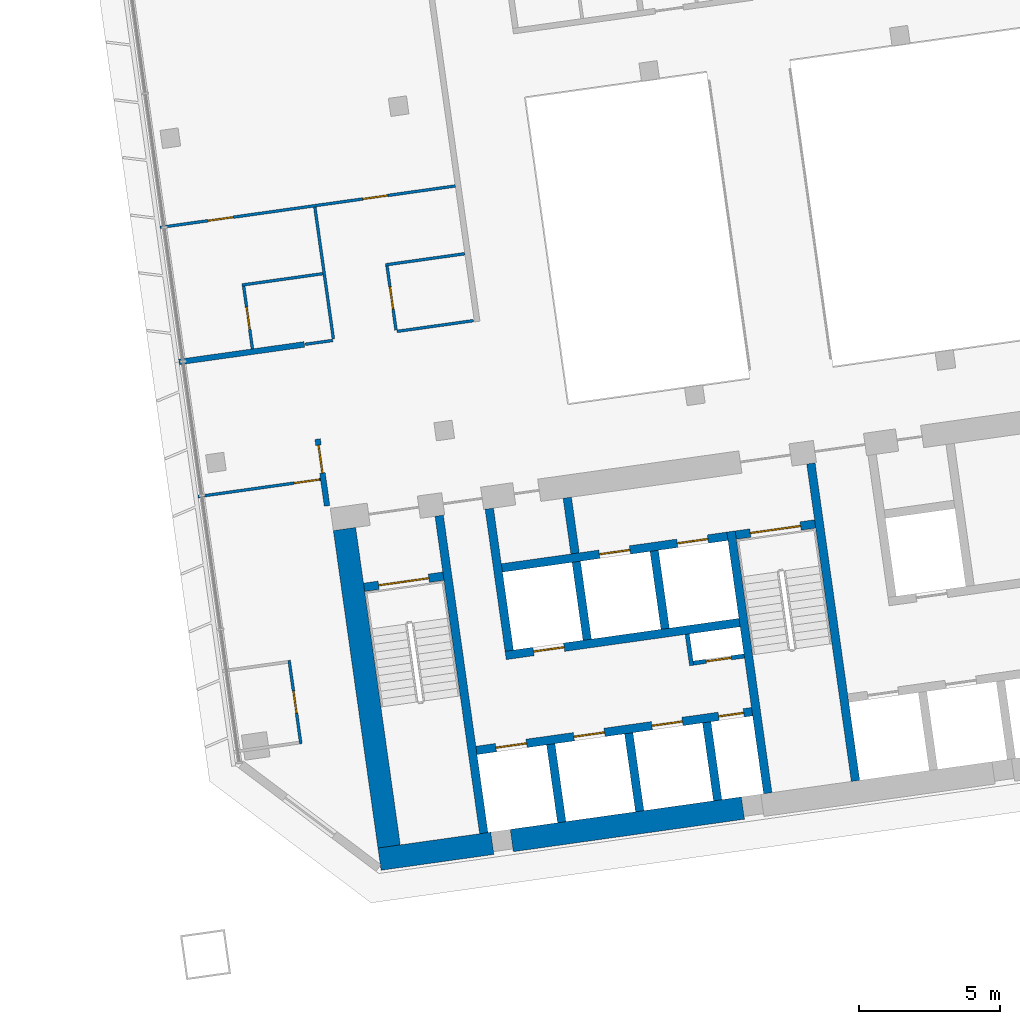
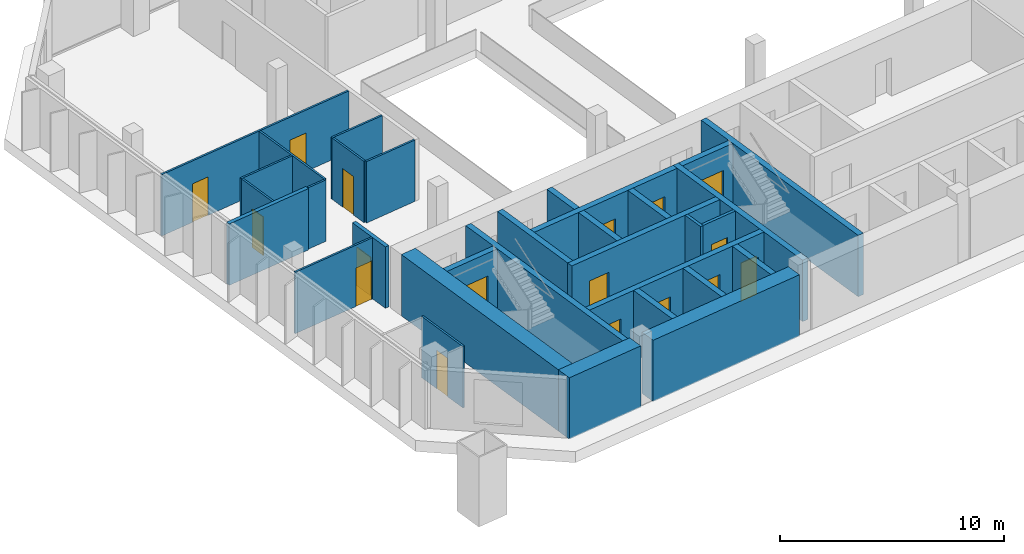
# One storey, part 20 of 26: 32 walls, 17 doors, 17 openings.
"""IFC4 building model written with IfcOpenShell, lengths in metres."""

from ifc_helpers import new_model, si_unit, direction, frame, frame_2d, origin, place, context, subcontext, project, spatial, rectangle, extrude, material, layer, layer_set, type_object, element, fill, save


model = new_model("IFC4")

# Units and contexts
model_context = context("Model", 3, precision=1e-05, world=origin(), true_north=direction((0.0, 1.0)))
body_context = subcontext(model_context, "Body", "Model", "MODEL_VIEW")
ifc_project = project(units=[si_unit("LENGTHUNIT", "METRE"), si_unit("AREAUNIT", "SQUARE_METRE"), si_unit("VOLUMEUNIT", "CUBIC_METRE"), si_unit("PLANEANGLEUNIT", "RADIAN"), si_unit("MASSUNIT", "GRAM", prefix="KILO")], contexts=[model_context])

# Site, building, storey
site_placement = place(None, origin())
site = spatial("IfcSite", under=ifc_project, at=site_placement, CompositionType="ELEMENT")
building_placement = place(site_placement, origin())
building = spatial("IfcBuilding", under=site, at=building_placement, Name="Mirante Cascada Hotel Towers", CompositionType="ELEMENT")
storey_placement = place(building_placement, frame((0.0, 0.0, 144.3)))
storey = spatial("IfcBuildingStorey", under=building, at=storey_placement, Name="L33", CompositionType="ELEMENT", Elevation=144.3)

# Wall
ifc_material_1 = material(Name="Fire-rated plasterboard on metal studs")
ifc_layer_1 = layer(ifc_material_1, 0.2)
ifc_layer_set_1 = layer_set([ifc_layer_1], Name="Compartment wall 200 EI 120")
wall_type_1 = type_object("IfcWallType", Name="Compartment wall 200 EI 120", PredefinedType="PARTITIONING", material=ifc_layer_set_1)
wall_1_placement = place(storey_placement, frame((30.0, -2.0, 0.0), z_axis=(0.0, 0.0, 1.0), x_axis=(0.9902674, 0.1391779, 0.0)))
element("IfcWall", 1, at=wall_1_placement, inside=storey, type_object=wall_type_1, Name="Wall 2-L33-04", PredefinedType="PARTITIONING", context=body_context, shape_type="SweptSolid", body=[
    extrude(rectangle(XDim=4.5, YDim=0.2, at=frame_2d((2.25, 0.0))), origin(), (0.0, 0.0, 1.0), 3.35),
])

# Wall, opening, door
wall_2_placement = place(storey_placement, frame((35.2634, -7.1173, 0.0), z_axis=(0.0, 0.0, 1.0), x_axis=(-0.1391635, 0.9902694, 0.0)))
wall_2 = element("IfcWall", 2, at=wall_2_placement, inside=storey, type_object=wall_type_1, Name="Wall 2-L33-32", PredefinedType="PARTITIONING", context=body_context, shape_type="SweptSolid", body=[
    extrude(rectangle(XDim=2.4001, YDim=0.2, at=frame_2d((1.2, 0.0))), origin(), (0.0, 0.0, 1.0), 3.35),
])
opening_1_placement = place(wall_2_placement, frame((1.1833, 0.0, 0.0)))
opening_1 = element("IfcOpeningElement", 3, at=opening_1_placement, cuts=wall_2, Name="Opening D2-L33-24", PredefinedType="OPENING", context=body_context, shape_type="SweptSolid", body=[
    extrude(rectangle(XDim=1.0, YDim=2.1, at=frame_2d((0.5, 1.05))), frame((0.0, 0.1, 0.0), z_axis=(0.0, -1.0, 0.0), x_axis=(1.0, 0.0, 0.0)), (0.0, 0.0, 1.0), 0.2),
])
ifc_material_2 = material(Name="Fire-rated timber door leaf", Category="wood")
door_type_1 = type_object("IfcDoorType", Name="Entrance door DG1 1000x2100 EI 60", OperationType="SINGLE_SWING_LEFT", PredefinedType="DOOR", material=ifc_material_2)
door_1_placement = place(opening_1_placement, origin())
door_1 = element("IfcDoor", 4, at=door_1_placement, inside=storey, type_object=door_type_1, Name="Door D2-L33-24", OperationType="SINGLE_SWING_LEFT", OverallHeight=2.1, OverallWidth=1.0, PredefinedType="DOOR", context=body_context, shape_type="SweptSolid", body=[
    extrude(rectangle(XDim=1.0, YDim=2.1, at=frame_2d((0.5, 1.05))), frame((0.0, 0.025, 0.0), z_axis=(0.0, -1.0, 0.0), x_axis=(1.0, 0.0, 0.0)), (0.0, 0.0, 1.0), 0.05),
])
fill(opening_1, door_1)

# Wall
ifc_material_3 = material(Name="Masonry block", Category="masonry")
ifc_layer_2 = layer(ifc_material_3, 0.15)
ifc_layer_set_2 = layer_set([ifc_layer_2], Name="Core room partition 150 block EI 30")
wall_type_2 = type_object("IfcWallType", Name="Core room partition 150 block EI 30", PredefinedType="PARTITIONING", material=ifc_layer_set_2)
wall_3_placement = place(storey_placement, frame((48.2295, -12.793, 0.0), z_axis=(0.0, 0.0, 1.0), x_axis=(-0.1391935, 0.9902652, 0.0)))
element("IfcWall", 5, at=wall_3_placement, inside=storey, type_object=wall_type_2, Name="Core wall partition T2 L33 2", PredefinedType="PARTITIONING", context=body_context, shape_type="SweptSolid", body=[
    extrude(rectangle(XDim=1.1251, YDim=0.15, at=frame_2d((0.5626, 0.0))), origin(), (0.0, 0.0, 1.0), 3.35),
])

# Wall, opening, door
wall_4_placement = place(storey_placement, frame((48.2933, -12.7083, 0.0), z_axis=(0.0, 0.0, 1.0), x_axis=(0.990268, 0.1391734, 0.0)))
wall_4 = element("IfcWall", 6, at=wall_4_placement, inside=storey, type_object=wall_type_2, Name="Core wall partition T2 L33 3", PredefinedType="PARTITIONING", context=body_context, shape_type="SweptSolid", body=[
    extrude(rectangle(XDim=1.8251, YDim=0.15, at=frame_2d((0.9126, 0.0))), origin(), (0.0, 0.0, 1.0), 3.35),
])
opening_2_placement = place(wall_4_placement, frame((0.4625, 0.0, 0.0)))
opening_2 = element("IfcOpeningElement", 7, at=opening_2_placement, cuts=wall_4, Name="Opening D2-33-C23", PredefinedType="OPENING", context=body_context, shape_type="SweptSolid", body=[
    extrude(rectangle(XDim=0.9, YDim=2.1, at=frame_2d((0.45, 1.05))), frame((0.0, 0.075, 0.0), z_axis=(0.0, -1.0, 0.0), x_axis=(1.0, 0.0, 0.0)), (0.0, 0.0, 1.0), 0.15),
])
ifc_material_4 = material(Name="Hollow metal fire door leaf")
door_type_2 = type_object("IfcDoorType", Name="Fire door 900x2100 FD60", OperationType="NOTDEFINED", PredefinedType="DOOR", material=ifc_material_4)
door_2_placement = place(opening_2_placement, frame((0.9, 0.0, 0.0), z_axis=(0.0, 0.0, 1.0), x_axis=(-1.0, 0.0, 0.0)))
door_2 = element("IfcDoor", 8, at=door_2_placement, inside=storey, type_object=door_type_2, Name="Riser door T2 L33 23", OperationType="SINGLE_SWING_RIGHT", OverallHeight=2.1, OverallWidth=0.9, PredefinedType="DOOR", context=body_context, shape_type="SweptSolid", body=[
    extrude(rectangle(XDim=0.9, YDim=2.1, at=frame_2d((0.45, 1.05))), frame((0.0, 0.025, 0.0), z_axis=(0.0, -1.0, 0.0), x_axis=(1.0, 0.0, 0.0)), (0.0, 0.0, 1.0), 0.05),
])
fill(opening_2, door_2)

# Wall
ifc_material_5 = material(Name="Masonry block", Category="masonry")
ifc_layer_3 = layer(ifc_material_5, 0.3)
ifc_layer_set_3 = layer_set([ifc_layer_3], Name="Core wall 300 block EI 120")
wall_type_3 = type_object("IfcWallType", Name="Core wall 300 block EI 120", PredefinedType="PARTITIONING", material=ifc_layer_set_3)
wall_5_placement = place(storey_placement, frame((44.0843, -8.8061, 0.0), z_axis=(0.0, 0.0, 1.0), x_axis=(-0.1391951, 0.990265, 0.0)))
element("IfcWall", 9, at=wall_5_placement, inside=storey, type_object=wall_type_3, Name="Core wall partition T2 L33 1", PredefinedType="PARTITIONING", context=body_context, shape_type="SweptSolid", body=[
    extrude(rectangle(XDim=2.0001, YDim=0.3, at=frame_2d((1.0001, 0.0))), origin(), (0.0, 0.0, 1.0), 3.35),
])

# Wall, opening, door
ifc_material_6 = material(Name="Plasterboard on metal studs")
ifc_layer_4 = layer(ifc_material_6, 0.1)
ifc_layer_set_4 = layer_set([ifc_layer_4], Name="Partition 100")
wall_type_4 = type_object("IfcWallType", Name="Partition 100", PredefinedType="PARTITIONING", material=ifc_layer_set_4)
wall_6_placement = place(storey_placement, frame((35.0298, -6.1739, 0.0), z_axis=(0.0, 0.0, 1.0), x_axis=(-0.9902665, -0.1391841, 0.0)))
wall_6 = element("IfcWall", 10, at=wall_6_placement, inside=storey, type_object=wall_type_4, Name="Wall 2-L33-03", PredefinedType="PARTITIONING", context=body_context, shape_type="SweptSolid", body=[
    extrude(rectangle(XDim=4.3999, YDim=0.1, at=frame_2d((2.2, 0.0))), origin(), (0.0, 0.0, 1.0), 3.35),
])
opening_3_placement = place(wall_6_placement, frame((0.05, 0.0, 0.0)))
opening_3 = element("IfcOpeningElement", 11, at=opening_3_placement, cuts=wall_6, Name="Opening D2-L33-01", PredefinedType="OPENING", context=body_context, shape_type="SweptSolid", body=[
    extrude(rectangle(XDim=0.9, YDim=2.1, at=frame_2d((0.45, 1.05))), frame((0.0, 0.05, 0.0), z_axis=(0.0, -1.0, 0.0), x_axis=(1.0, 0.0, 0.0)), (0.0, 0.0, 1.0), 0.1),
])
ifc_material_7 = material(Name="Timber door leaf", Category="wood")
door_type_3 = type_object("IfcDoorType", Name="Room door DG3 900x2100", OperationType="SINGLE_SWING_LEFT", PredefinedType="DOOR", material=ifc_material_7)
door_3_placement = place(opening_3_placement, origin())
door_3 = element("IfcDoor", 12, at=door_3_placement, inside=storey, type_object=door_type_3, Name="Door D2-L33-01", OperationType="SINGLE_SWING_LEFT", OverallHeight=2.1, OverallWidth=0.9, PredefinedType="DOOR", context=body_context, shape_type="SweptSolid", body=[
    extrude(rectangle(XDim=0.9, YDim=2.1, at=frame_2d((0.45, 1.05))), frame((0.0, 0.025, 0.0), z_axis=(0.0, -1.0, 0.0), x_axis=(1.0, 0.0, 0.0)), (0.0, 0.0, 1.0), 0.05),
])
fill(opening_3, door_3)

# Walls
wall_7_placement = place(storey_placement, frame((35.4663, -1.2318, 0.0), z_axis=(0.0, 0.0, 1.0), x_axis=(-0.9902801, -0.1390877, 0.0)))
element("IfcWall", 13, at=wall_7_placement, inside=storey, type_object=wall_type_4, Name="Wall 2-L33-05", PredefinedType="PARTITIONING", context=body_context, shape_type="SweptSolid", body=[
    extrude(rectangle(XDim=0.99, YDim=0.1, at=frame_2d((0.495, 0.0))), origin(), (0.0, 0.0, 1.0), 3.35),
])
wall_8_placement = place(storey_placement, frame((37.7538, -0.9103, 0.0), z_axis=(0.0, 0.0, 1.0), x_axis=(0.9902645, 0.1391984, 0.0)))
element("IfcWall", 14, at=wall_8_placement, inside=storey, type_object=wall_type_4, Name="Wall 2-L33-06", PredefinedType="PARTITIONING", context=body_context, shape_type="SweptSolid", body=[
    extrude(rectangle(XDim=2.74, YDim=0.1, at=frame_2d((1.37, 0.0))), origin(), (0.0, 0.0, 1.0), 3.35),
])
wall_9_placement = place(storey_placement, frame((35.1125, 1.1421, 0.0), z_axis=(0.0, 0.0, 1.0), x_axis=(-0.9902683, -0.1391714, 0.0)))
element("IfcWall", 15, at=wall_9_placement, inside=storey, type_object=wall_type_4, Name="Wall 2-L33-09", PredefinedType="PARTITIONING", context=body_context, shape_type="SweptSolid", body=[
    extrude(rectangle(XDim=2.9, YDim=0.1, at=frame_2d((1.45, 0.0))), origin(), (0.0, 0.0, 1.0), 3.35),
])
wall_10_placement = place(storey_placement, frame((37.3406, 1.4552, 0.0), z_axis=(0.0, 0.0, 1.0), x_axis=(0.9902649, 0.1391957, 0.0)))
element("IfcWall", 16, at=wall_10_placement, inside=storey, type_object=wall_type_4, Name="Wall 2-L33-10", PredefinedType="PARTITIONING", context=body_context, shape_type="SweptSolid", body=[
    extrude(rectangle(XDim=2.8499, YDim=0.1, at=frame_2d((1.425, 0.0))), origin(), (0.0, 0.0, 1.0), 3.35),
])

# Wall, openings, doors
wall_11_placement = place(storey_placement, frame((39.8242, 4.2615, 0.0), z_axis=(0.0, 0.0, 1.0), x_axis=(-0.9902686, -0.1391691, 0.0)))
wall_11 = element("IfcWall", 17, at=wall_11_placement, inside=storey, type_object=wall_type_4, Name="Wall 2-L33-11", PredefinedType="PARTITIONING", context=body_context, shape_type="SweptSolid", body=[
    extrude(rectangle(XDim=10.6001, YDim=0.1, at=frame_2d((5.3, 0.0))), origin(), (0.0, 0.0, 1.0), 3.35),
])
opening_4_placement = place(wall_11_placement, frame((7.975, 0.0, 0.0)))
opening_4 = element("IfcOpeningElement", 18, at=opening_4_placement, cuts=wall_11, Name="Opening D2-L33-02", PredefinedType="OPENING", context=body_context, shape_type="SweptSolid", body=[
    extrude(rectangle(XDim=0.9, YDim=2.1, at=frame_2d((0.45, 1.05))), frame((0.0, 0.05, 0.0), z_axis=(0.0, -1.0, 0.0), x_axis=(1.0, 0.0, 0.0)), (0.0, 0.0, 1.0), 0.1),
])
opening_5_placement = place(wall_11_placement, frame((2.425, 0.0, 0.0)))
opening_5 = element("IfcOpeningElement", 19, at=opening_5_placement, cuts=wall_11, Name="Opening D2-L33-03", PredefinedType="OPENING", context=body_context, shape_type="SweptSolid", body=[
    extrude(rectangle(XDim=0.9, YDim=2.1, at=frame_2d((0.45, 1.05))), frame((0.0, 0.05, 0.0), z_axis=(0.0, -1.0, 0.0), x_axis=(1.0, 0.0, 0.0)), (0.0, 0.0, 1.0), 0.1),
])
door_4_placement = place(opening_4_placement, frame((0.9, 0.0, 0.0), z_axis=(0.0, 0.0, 1.0), x_axis=(-1.0, 0.0, 0.0)))
door_4 = element("IfcDoor", 20, at=door_4_placement, inside=storey, type_object=door_type_3, Name="Door D2-L33-02", OperationType="SINGLE_SWING_RIGHT", OverallHeight=2.1, OverallWidth=0.9, PredefinedType="DOOR", context=body_context, shape_type="SweptSolid", body=[
    extrude(rectangle(XDim=0.9, YDim=2.1, at=frame_2d((0.45, 1.05))), frame((0.0, 0.025, 0.0), z_axis=(0.0, -1.0, 0.0), x_axis=(1.0, 0.0, 0.0)), (0.0, 0.0, 1.0), 0.05),
])
fill(opening_4, door_4)
door_5_placement = place(opening_5_placement, frame((0.9, 0.0, 0.0), z_axis=(0.0, 0.0, 1.0), x_axis=(-1.0, 0.0, 0.0)))
door_5 = element("IfcDoor", 21, at=door_5_placement, inside=storey, type_object=door_type_3, Name="Door D2-L33-03", OperationType="SINGLE_SWING_RIGHT", OverallHeight=2.1, OverallWidth=0.9, PredefinedType="DOOR", context=body_context, shape_type="SweptSolid", body=[
    extrude(rectangle(XDim=0.9, YDim=2.1, at=frame_2d((0.45, 1.05))), frame((0.0, 0.025, 0.0), z_axis=(0.0, -1.0, 0.0), x_axis=(1.0, 0.0, 0.0)), (0.0, 0.0, 1.0), 0.05),
])
fill(opening_5, door_5)

# Wall, opening, door
wall_12_placement = place(storey_placement, frame((34.332, -15.5793, 0.0), z_axis=(0.0, 0.0, 1.0), x_axis=(-0.1391624, 0.9902696, 0.0)))
wall_12 = element("IfcWall", 22, at=wall_12_placement, inside=storey, type_object=wall_type_4, Name="Wall 2-L33-30", PredefinedType="PARTITIONING", context=body_context, shape_type="SweptSolid", body=[
    extrude(rectangle(XDim=3.0001, YDim=0.1, at=frame_2d((1.5001, 0.0))), origin(), (0.0, 0.0, 1.0), 3.35),
])
opening_6_placement = place(wall_12_placement, frame((1.1, 0.0, 0.0)))
opening_6 = element("IfcOpeningElement", 23, at=opening_6_placement, cuts=wall_12, Name="Opening D2-L33-22", PredefinedType="OPENING", context=body_context, shape_type="SweptSolid", body=[
    extrude(rectangle(XDim=0.8, YDim=2.1, at=frame_2d((0.4, 1.05))), frame((0.0, 0.05, 0.0), z_axis=(0.0, -1.0, 0.0), x_axis=(1.0, 0.0, 0.0)), (0.0, 0.0, 1.0), 0.1),
])
ifc_material_8 = material(Name="Timber door leaf", Category="wood")
door_type_4 = type_object("IfcDoorType", Name="Bathroom door DG4 800x2100", OperationType="SINGLE_SWING_LEFT", PredefinedType="DOOR", material=ifc_material_8)
door_6_placement = place(opening_6_placement, frame((0.8, 0.0, 0.0), z_axis=(0.0, 0.0, 1.0), x_axis=(-1.0, 0.0, 0.0)))
door_6 = element("IfcDoor", 24, at=door_6_placement, inside=storey, type_object=door_type_4, Name="Door D2-L33-22", OperationType="SINGLE_SWING_RIGHT", OverallHeight=2.1, OverallWidth=0.8, PredefinedType="DOOR", context=body_context, shape_type="SweptSolid", body=[
    extrude(rectangle(XDim=0.8, YDim=2.1, at=frame_2d((0.4, 1.05))), frame((0.0, 0.025, 0.0), z_axis=(0.0, -1.0, 0.0), x_axis=(1.0, 0.0, 0.0)), (0.0, 0.0, 1.0), 0.05),
])
fill(opening_6, door_6)

wall_13_placement = place(storey_placement, frame((32.2972, 0.6959, 0.0), z_axis=(0.0, 0.0, 1.0), x_axis=(0.1391561, -0.9902705, 0.0)))
wall_13 = element("IfcWall", 25, at=wall_13_placement, inside=storey, type_object=wall_type_4, Name="Wall 2-L33-31", PredefinedType="PARTITIONING", context=body_context, shape_type="SweptSolid", body=[
    extrude(rectangle(XDim=2.25, YDim=0.1, at=frame_2d((1.125, 0.0))), origin(), (0.0, 0.0, 1.0), 3.35),
])
opening_7_placement = place(wall_13_placement, frame((0.75, 0.0, 0.0)))
opening_7 = element("IfcOpeningElement", 26, at=opening_7_placement, cuts=wall_13, Name="Opening D2-L33-23", PredefinedType="OPENING", context=body_context, shape_type="SweptSolid", body=[
    extrude(rectangle(XDim=0.8, YDim=2.1, at=frame_2d((0.4, 1.05))), frame((0.0, 0.05, 0.0), z_axis=(0.0, -1.0, 0.0), x_axis=(1.0, 0.0, 0.0)), (0.0, 0.0, 1.0), 0.1),
])
door_7_placement = place(opening_7_placement, origin())
door_7 = element("IfcDoor", 27, at=door_7_placement, inside=storey, type_object=door_type_4, Name="Door D2-L33-23", OperationType="SINGLE_SWING_LEFT", OverallHeight=2.1, OverallWidth=0.8, PredefinedType="DOOR", context=body_context, shape_type="SweptSolid", body=[
    extrude(rectangle(XDim=0.8, YDim=2.1, at=frame_2d((0.4, 1.05))), frame((0.0, 0.025, 0.0), z_axis=(0.0, -1.0, 0.0), x_axis=(1.0, 0.0, 0.0)), (0.0, 0.0, 1.0), 0.05),
])
fill(opening_7, door_7)

# Wall
wall_14_placement = place(storey_placement, frame((34.8303, 3.5092, 0.0), z_axis=(0.0, 0.0, 1.0), x_axis=(0.1391613, -0.9902697, 0.0)))
element("IfcWall", 28, at=wall_14_placement, inside=storey, type_object=wall_type_4, Name="Wall 2-L33-33", PredefinedType="PARTITIONING", context=body_context, shape_type="SweptSolid", body=[
    extrude(rectangle(XDim=4.7334, YDim=0.1, at=frame_2d((2.3667, 0.0))), origin(), (0.0, 0.0, 1.0), 3.35),
])

# Wall, opening, door
wall_15_placement = place(storey_placement, frame((37.7171, -0.8649, 0.0), z_axis=(0.0, 0.0, 1.0), x_axis=(-0.1391749, 0.9902678, 0.0)))
wall_15 = element("IfcWall", 29, at=wall_15_placement, inside=storey, type_object=wall_type_4, Name="Wall 2-L33-34", PredefinedType="PARTITIONING", context=body_context, shape_type="SweptSolid", body=[
    extrude(rectangle(XDim=2.3, YDim=0.1, at=frame_2d((1.15, 0.0))), origin(), (0.0, 0.0, 1.0), 3.35),
])
opening_8_placement = place(wall_15_placement, frame((0.75, 0.0, 0.0)))
opening_8 = element("IfcOpeningElement", 30, at=opening_8_placement, cuts=wall_15, Name="Opening D2-L33-25", PredefinedType="OPENING", context=body_context, shape_type="SweptSolid", body=[
    extrude(rectangle(XDim=0.8, YDim=2.1, at=frame_2d((0.4, 1.05))), frame((0.0, 0.05, 0.0), z_axis=(0.0, -1.0, 0.0), x_axis=(1.0, 0.0, 0.0)), (0.0, 0.0, 1.0), 0.1),
])
door_8_placement = place(opening_8_placement, frame((0.8, 0.0, 0.0), z_axis=(0.0, 0.0, 1.0), x_axis=(-1.0, 0.0, 0.0)))
door_8 = element("IfcDoor", 31, at=door_8_placement, inside=storey, type_object=door_type_4, Name="Door D2-L33-25", OperationType="SINGLE_SWING_RIGHT", OverallHeight=2.1, OverallWidth=0.8, PredefinedType="DOOR", context=body_context, shape_type="SweptSolid", body=[
    extrude(rectangle(XDim=0.8, YDim=2.1, at=frame_2d((0.4, 1.05))), frame((0.0, 0.025, 0.0), z_axis=(0.0, -1.0, 0.0), x_axis=(1.0, 0.0, 0.0)), (0.0, 0.0, 1.0), 0.05),
])
fill(opening_8, door_8)

# Walls
ifc_material_9 = material(Name="Concrete C50/60", Category="concrete")
ifc_layer_5 = layer(ifc_material_9, 0.3)
ifc_layer_set_5 = layer_set([ifc_layer_5], Name="RC core wall 300 C50/60")
wall_type_5 = type_object("IfcWallType", Name="RC core wall 300 C50/60", PredefinedType="SHEAR", material=ifc_layer_set_5)
wall_16_placement = place(storey_placement, frame((40.8373, -18.7548, 0.0), z_axis=(0.0, 0.0, 1.0), x_axis=(-0.1391749, 0.9902678, 0.0)))
element("IfcWall", 32, at=wall_16_placement, inside=storey, type_object=wall_type_5, Name="Core wall T2:L33:5", PredefinedType="SHEAR", context=body_context, shape_type="SweptSolid", body=[
    extrude(rectangle(XDim=11.4, YDim=0.3, at=frame_2d((5.7, 0.0))), origin(), (0.0, 0.0, 1.0), 3.35),
])
wall_17_placement = place(storey_placement, frame((50.938, -17.3352, 0.0), z_axis=(0.0, 0.0, 1.0), x_axis=(-0.1391706, 0.9902684, 0.0)))
element("IfcWall", 33, at=wall_17_placement, inside=storey, type_object=wall_type_5, Name="Core wall T2:L33:6", PredefinedType="SHEAR", context=body_context, shape_type="SweptSolid", body=[
    extrude(rectangle(XDim=9.4, YDim=0.3, at=frame_2d((4.7, 0.0))), origin(), (0.0, 0.0, 1.0), 3.35),
])
wall_18_placement = place(storey_placement, frame((54.0574, -16.8968, 0.0), z_axis=(0.0, 0.0, 1.0), x_axis=(-0.1391761, 0.9902677, 0.0)))
element("IfcWall", 34, at=wall_18_placement, inside=storey, type_object=wall_type_5, Name="Core wall T2:L33:7", PredefinedType="SHEAR", context=body_context, shape_type="SweptSolid", body=[
    extrude(rectangle(XDim=11.3999, YDim=0.3, at=frame_2d((5.7, 0.0))), origin(), (0.0, 0.0, 1.0), 3.35),
])

# Wall, opening, door
wall_19_placement = place(storey_placement, frame((36.5791, -10.0123, 0.0), z_axis=(0.0, 0.0, 1.0), x_axis=(0.9902704, 0.1391564, 0.0)))
wall_19 = element("IfcWall", 35, at=wall_19_placement, inside=storey, type_object=wall_type_5, Name="Core wall T2:L33:9", PredefinedType="SHEAR", context=body_context, shape_type="SweptSolid", body=[
    extrude(rectangle(XDim=2.85, YDim=0.3, at=frame_2d((1.425, 0.0))), origin(), (0.0, 0.0, 1.0), 3.35),
])
opening_9_placement = place(wall_19_placement, frame((0.525, 0.0, 0.0)))
opening_9 = element("IfcOpeningElement", 36, at=opening_9_placement, cuts=wall_19, Name="Opening D2-33-C13", PredefinedType="OPENING", context=body_context, shape_type="SweptSolid", body=[
    extrude(rectangle(XDim=1.8, YDim=2.1, at=frame_2d((0.9, 1.05))), frame((0.0, 0.15, 0.0), z_axis=(0.0, -1.0, 0.0), x_axis=(1.0, 0.0, 0.0)), (0.0, 0.0, 1.0), 0.3),
])
ifc_material_10 = material(Name="Hollow metal fire door leaf")
door_type_5 = type_object("IfcDoorType", Name="Double fire door 1800x2100 FD60", OperationType="DOUBLE_DOOR_SINGLE_SWING", PredefinedType="DOOR", material=ifc_material_10)
door_9_placement = place(opening_9_placement, frame((1.8, 0.0, 0.0), z_axis=(0.0, 0.0, 1.0), x_axis=(-1.0, 0.0, 0.0)))
door_9 = element("IfcDoor", 37, at=door_9_placement, inside=storey, type_object=door_type_5, Name="Stair door T2 L33 13", OperationType="DOUBLE_DOOR_SINGLE_SWING", OverallHeight=2.1, OverallWidth=1.8, PredefinedType="DOOR", context=body_context, shape_type="SweptSolid", body=[
    extrude(rectangle(XDim=0.895, YDim=2.1, at=frame_2d((0.4475, 1.05))), frame((0.0, 0.025, 0.0), z_axis=(0.0, -1.0, 0.0), x_axis=(1.0, 0.0, 0.0)), (0.0, 0.0, 1.0), 0.05),
    extrude(rectangle(XDim=0.895, YDim=2.1, at=frame_2d((1.3525, 1.05))), frame((0.0, 0.025, 0.0), z_axis=(0.0, -1.0, 0.0), x_axis=(1.0, 0.0, 0.0)), (0.0, 0.0, 1.0), 0.05),
])
fill(opening_9, door_9)

wall_20_placement = place(storey_placement, frame((49.7992, -8.1544, 0.0), z_axis=(0.0, 0.0, 1.0), x_axis=(0.9902656, 0.1391909, 0.0)))
wall_20 = element("IfcWall", 38, at=wall_20_placement, inside=storey, type_object=wall_type_5, Name="Core wall T2:L33:10", PredefinedType="SHEAR", context=body_context, shape_type="SweptSolid", body=[
    extrude(rectangle(XDim=2.85, YDim=0.3, at=frame_2d((1.425, 0.0))), origin(), (0.0, 0.0, 1.0), 3.35),
])
opening_10_placement = place(wall_20_placement, frame((0.525, 0.0, 0.0)))
opening_10 = element("IfcOpeningElement", 39, at=opening_10_placement, cuts=wall_20, Name="Opening D2-33-C15", PredefinedType="OPENING", context=body_context, shape_type="SweptSolid", body=[
    extrude(rectangle(XDim=1.8, YDim=2.1, at=frame_2d((0.9, 1.05))), frame((0.0, 0.15, 0.0), z_axis=(0.0, -1.0, 0.0), x_axis=(1.0, 0.0, 0.0)), (0.0, 0.0, 1.0), 0.3),
])
door_10_placement = place(opening_10_placement, frame((1.8, 0.0, 0.0), z_axis=(0.0, 0.0, 1.0), x_axis=(-1.0, 0.0, 0.0)))
door_10 = element("IfcDoor", 40, at=door_10_placement, inside=storey, type_object=door_type_5, Name="Stair door T2 L33 15", OperationType="DOUBLE_DOOR_SINGLE_SWING", OverallHeight=2.1, OverallWidth=1.8, PredefinedType="DOOR", context=body_context, shape_type="SweptSolid", body=[
    extrude(rectangle(XDim=0.895, YDim=2.1, at=frame_2d((0.4475, 1.05))), frame((0.0, 0.025, 0.0), z_axis=(0.0, -1.0, 0.0), x_axis=(1.0, 0.0, 0.0)), (0.0, 0.0, 1.0), 0.05),
    extrude(rectangle(XDim=0.895, YDim=2.1, at=frame_2d((1.3525, 1.05))), frame((0.0, 0.025, 0.0), z_axis=(0.0, -1.0, 0.0), x_axis=(1.0, 0.0, 0.0)), (0.0, 0.0, 1.0), 0.05),
])
fill(opening_10, door_10)

# Wall, openings, doors
wall_21_placement = place(storey_placement, frame((40.5753, -15.8126, 0.0), z_axis=(0.0, 0.0, 1.0), x_axis=(0.9902682, 0.1391725, 0.0)))
wall_21 = element("IfcWall", 41, at=wall_21_placement, inside=storey, type_object=wall_type_5, Name="Core wall T2:L33:12", PredefinedType="SHEAR", context=body_context, shape_type="SweptSolid", body=[
    extrude(rectangle(XDim=9.8999, YDim=0.3, at=frame_2d((4.95, 0.0))), origin(), (0.0, 0.0, 1.0), 3.35),
])
opening_11_placement = place(wall_21_placement, frame((0.7, 0.0, 0.0)))
opening_11 = element("IfcOpeningElement", 42, at=opening_11_placement, cuts=wall_21, Name="Opening LD", PredefinedType="OPENING", context=body_context, shape_type="SweptSolid", body=[
    extrude(rectangle(XDim=1.1, YDim=2.1, at=frame_2d((0.55, 1.05))), frame((0.0, 0.15, 0.0), z_axis=(0.0, -1.0, 0.0), x_axis=(1.0, 0.0, 0.0)), (0.0, 0.0, 1.0), 0.3),
])
opening_12_placement = place(wall_21_placement, frame((3.5, 0.0, 0.0)))
opening_12 = element("IfcOpeningElement", 43, at=opening_12_placement, cuts=wall_21, Name="Opening LD", PredefinedType="OPENING", context=body_context, shape_type="SweptSolid", body=[
    extrude(rectangle(XDim=1.1, YDim=2.1, at=frame_2d((0.55, 1.05))), frame((0.0, 0.15, 0.0), z_axis=(0.0, -1.0, 0.0), x_axis=(1.0, 0.0, 0.0)), (0.0, 0.0, 1.0), 0.3),
])
opening_13_placement = place(wall_21_placement, frame((6.3, 0.0, 0.0)))
opening_13 = element("IfcOpeningElement", 44, at=opening_13_placement, cuts=wall_21, Name="Opening LD", PredefinedType="OPENING", context=body_context, shape_type="SweptSolid", body=[
    extrude(rectangle(XDim=1.1, YDim=2.1, at=frame_2d((0.55, 1.05))), frame((0.0, 0.15, 0.0), z_axis=(0.0, -1.0, 0.0), x_axis=(1.0, 0.0, 0.0)), (0.0, 0.0, 1.0), 0.3),
])
opening_14_placement = place(wall_21_placement, frame((8.7, 0.0, 0.0)))
opening_14 = element("IfcOpeningElement", 45, at=opening_14_placement, cuts=wall_21, Name="Opening D2-33-C22", PredefinedType="OPENING", context=body_context, shape_type="SweptSolid", body=[
    extrude(rectangle(XDim=0.9, YDim=2.1, at=frame_2d((0.45, 1.05))), frame((0.0, 0.15, 0.0), z_axis=(0.0, -1.0, 0.0), x_axis=(1.0, 0.0, 0.0)), (0.0, 0.0, 1.0), 0.3),
])
door_11_placement = place(opening_14_placement, frame((0.9, 0.0, 0.0), z_axis=(0.0, 0.0, 1.0), x_axis=(-1.0, 0.0, 0.0)))
door_11 = element("IfcDoor", 46, at=door_11_placement, inside=storey, type_object=door_type_2, Name="Riser door T2 L33 22", OperationType="SINGLE_SWING_RIGHT", OverallHeight=2.1, OverallWidth=0.9, PredefinedType="DOOR", context=body_context, shape_type="SweptSolid", body=[
    extrude(rectangle(XDim=0.9, YDim=2.1, at=frame_2d((0.45, 1.05))), frame((0.0, 0.025, 0.0), z_axis=(0.0, -1.0, 0.0), x_axis=(1.0, 0.0, 0.0)), (0.0, 0.0, 1.0), 0.05),
])
fill(opening_14, door_11)
ifc_material_11 = material(Name="Stainless steel", Category="steel")
door_type_6 = type_object("IfcDoorType", Name="Lift landing door 1100x2100 EI 120", OperationType="DOUBLE_DOOR_SLIDING", PredefinedType="DOOR", material=ifc_material_11)
door_12_placement = place(opening_11_placement, origin())
door_12 = element("IfcDoor", 47, at=door_12_placement, inside=storey, type_object=door_type_6, Name="Lift landing door HR2-1 L33", OperationType="DOUBLE_DOOR_SLIDING", OverallHeight=2.1, OverallWidth=1.1, PredefinedType="DOOR", context=body_context, shape_type="SweptSolid", body=[
    extrude(rectangle(XDim=0.545, YDim=2.1, at=frame_2d((0.2725, 1.05))), frame((0.0, 0.025, 0.0), z_axis=(0.0, -1.0, 0.0), x_axis=(1.0, 0.0, 0.0)), (0.0, 0.0, 1.0), 0.05),
    extrude(rectangle(XDim=0.545, YDim=2.1, at=frame_2d((0.8275, 1.05))), frame((0.0, 0.025, 0.0), z_axis=(0.0, -1.0, 0.0), x_axis=(1.0, 0.0, 0.0)), (0.0, 0.0, 1.0), 0.05),
])
fill(opening_11, door_12)
door_13_placement = place(opening_12_placement, origin())
door_13 = element("IfcDoor", 48, at=door_13_placement, inside=storey, type_object=door_type_6, Name="Lift landing door HR2-2 L33", OperationType="DOUBLE_DOOR_SLIDING", OverallHeight=2.1, OverallWidth=1.1, PredefinedType="DOOR", context=body_context, shape_type="SweptSolid", body=[
    extrude(rectangle(XDim=0.545, YDim=2.1, at=frame_2d((0.2725, 1.05))), frame((0.0, 0.025, 0.0), z_axis=(0.0, -1.0, 0.0), x_axis=(1.0, 0.0, 0.0)), (0.0, 0.0, 1.0), 0.05),
    extrude(rectangle(XDim=0.545, YDim=2.1, at=frame_2d((0.8275, 1.05))), frame((0.0, 0.025, 0.0), z_axis=(0.0, -1.0, 0.0), x_axis=(1.0, 0.0, 0.0)), (0.0, 0.0, 1.0), 0.05),
])
fill(opening_12, door_13)
door_14_placement = place(opening_13_placement, origin())
door_14 = element("IfcDoor", 49, at=door_14_placement, inside=storey, type_object=door_type_6, Name="Lift landing door HR2-3 L33", OperationType="DOUBLE_DOOR_SLIDING", OverallHeight=2.1, OverallWidth=1.1, PredefinedType="DOOR", context=body_context, shape_type="SweptSolid", body=[
    extrude(rectangle(XDim=0.545, YDim=2.1, at=frame_2d((0.2725, 1.05))), frame((0.0, 0.025, 0.0), z_axis=(0.0, -1.0, 0.0), x_axis=(1.0, 0.0, 0.0)), (0.0, 0.0, 1.0), 0.05),
    extrude(rectangle(XDim=0.545, YDim=2.1, at=frame_2d((0.8275, 1.05))), frame((0.0, 0.025, 0.0), z_axis=(0.0, -1.0, 0.0), x_axis=(1.0, 0.0, 0.0)), (0.0, 0.0, 1.0), 0.05),
])
fill(opening_13, door_14)

# Wall, opening, door
wall_22_placement = place(storey_placement, frame((41.6153, -12.435, 0.0), z_axis=(0.0, 0.0, 1.0), x_axis=(0.9902691, 0.139166, 0.0)))
wall_22 = element("IfcWall", 50, at=wall_22_placement, inside=storey, type_object=wall_type_5, Name="Core wall T2:L33:13", PredefinedType="SHEAR", context=body_context, shape_type="SweptSolid", body=[
    extrude(rectangle(XDim=8.4, YDim=0.3, at=frame_2d((4.2, 0.0))), origin(), (0.0, 0.0, 1.0), 3.35),
])
opening_15_placement = place(wall_22_placement, frame((1.0, 0.0, 0.0)))
opening_15 = element("IfcOpeningElement", 51, at=opening_15_placement, cuts=wall_22, Name="Opening LD", PredefinedType="OPENING", context=body_context, shape_type="SweptSolid", body=[
    extrude(rectangle(XDim=1.1, YDim=2.1, at=frame_2d((0.55, 1.05))), frame((0.0, 0.15, 0.0), z_axis=(0.0, -1.0, 0.0), x_axis=(1.0, 0.0, 0.0)), (0.0, 0.0, 1.0), 0.3),
])
door_15_placement = place(opening_15_placement, origin())
door_15 = element("IfcDoor", 52, at=door_15_placement, inside=storey, type_object=door_type_6, Name="Lift landing door HR2-4 L33", OperationType="DOUBLE_DOOR_SLIDING", OverallHeight=2.1, OverallWidth=1.1, PredefinedType="DOOR", context=body_context, shape_type="SweptSolid", body=[
    extrude(rectangle(XDim=0.545, YDim=2.1, at=frame_2d((0.2725, 1.05))), frame((0.0, 0.025, 0.0), z_axis=(0.0, -1.0, 0.0), x_axis=(1.0, 0.0, 0.0)), (0.0, 0.0, 1.0), 0.05),
    extrude(rectangle(XDim=0.545, YDim=2.1, at=frame_2d((0.8275, 1.05))), frame((0.0, 0.025, 0.0), z_axis=(0.0, -1.0, 0.0), x_axis=(1.0, 0.0, 0.0)), (0.0, 0.0, 1.0), 0.05),
])
fill(opening_15, door_15)

# Wall, openings, doors
wall_23_placement = place(storey_placement, frame((41.481, -9.3234, 0.0), z_axis=(0.0, 0.0, 1.0), x_axis=(0.9902679, 0.1391741, 0.0)))
wall_23 = element("IfcWall", 53, at=wall_23_placement, inside=storey, type_object=wall_type_5, Name="Core wall T2:L33:14", PredefinedType="SHEAR", context=body_context, shape_type="SweptSolid", body=[
    extrude(rectangle(XDim=8.0999, YDim=0.3, at=frame_2d((4.05, 0.0))), origin(), (0.0, 0.0, 1.0), 3.35),
])
opening_16_placement = place(wall_23_placement, frame((3.5, 0.0, 0.0)))
opening_16 = element("IfcOpeningElement", 54, at=opening_16_placement, cuts=wall_23, Name="Opening LD", PredefinedType="OPENING", context=body_context, shape_type="SweptSolid", body=[
    extrude(rectangle(XDim=1.1, YDim=2.1, at=frame_2d((0.55, 1.05))), frame((0.0, 0.15, 0.0), z_axis=(0.0, -1.0, 0.0), x_axis=(1.0, 0.0, 0.0)), (0.0, 0.0, 1.0), 0.3),
])
opening_17_placement = place(wall_23_placement, frame((6.3, 0.0, 0.0)))
opening_17 = element("IfcOpeningElement", 55, at=opening_17_placement, cuts=wall_23, Name="Opening LD", PredefinedType="OPENING", context=body_context, shape_type="SweptSolid", body=[
    extrude(rectangle(XDim=1.1, YDim=2.1, at=frame_2d((0.55, 1.05))), frame((0.0, 0.15, 0.0), z_axis=(0.0, -1.0, 0.0), x_axis=(1.0, 0.0, 0.0)), (0.0, 0.0, 1.0), 0.3),
])
door_16_placement = place(opening_16_placement, origin())
door_16 = element("IfcDoor", 56, at=door_16_placement, inside=storey, type_object=door_type_6, Name="Lift landing door FF3 L33", OperationType="DOUBLE_DOOR_SLIDING", OverallHeight=2.1, OverallWidth=1.1, PredefinedType="DOOR", context=body_context, shape_type="SweptSolid", body=[
    extrude(rectangle(XDim=0.545, YDim=2.1, at=frame_2d((0.2725, 1.05))), frame((0.0, 0.025, 0.0), z_axis=(0.0, -1.0, 0.0), x_axis=(1.0, 0.0, 0.0)), (0.0, 0.0, 1.0), 0.05),
    extrude(rectangle(XDim=0.545, YDim=2.1, at=frame_2d((0.8275, 1.05))), frame((0.0, 0.025, 0.0), z_axis=(0.0, -1.0, 0.0), x_axis=(1.0, 0.0, 0.0)), (0.0, 0.0, 1.0), 0.05),
])
fill(opening_16, door_16)
door_17_placement = place(opening_17_placement, origin())
door_17 = element("IfcDoor", 57, at=door_17_placement, inside=storey, type_object=door_type_6, Name="Lift landing door FF4 L33", OperationType="DOUBLE_DOOR_SLIDING", OverallHeight=2.1, OverallWidth=1.1, PredefinedType="DOOR", context=body_context, shape_type="SweptSolid", body=[
    extrude(rectangle(XDim=0.545, YDim=2.1, at=frame_2d((0.2725, 1.05))), frame((0.0, 0.025, 0.0), z_axis=(0.0, -1.0, 0.0), x_axis=(1.0, 0.0, 0.0)), (0.0, 0.0, 1.0), 0.05),
    extrude(rectangle(XDim=0.545, YDim=2.1, at=frame_2d((0.8275, 1.05))), frame((0.0, 0.025, 0.0), z_axis=(0.0, -1.0, 0.0), x_axis=(1.0, 0.0, 0.0)), (0.0, 0.0, 1.0), 0.05),
])
fill(opening_17, door_17)

# Walls
wall_24_placement = place(storey_placement, frame((43.61, -18.3651, 0.0), z_axis=(0.0, 0.0, 1.0), x_axis=(-0.1391459, 0.9902719, 0.0)))
element("IfcWall", 58, at=wall_24_placement, inside=storey, type_object=wall_type_5, Name="Core wall T2:L33:15", PredefinedType="SHEAR", context=body_context, shape_type="SweptSolid", body=[
    extrude(rectangle(XDim=2.7999, YDim=0.3, at=frame_2d((1.4, 0.0))), origin(), (0.0, 0.0, 1.0), 3.35),
])
wall_25_placement = place(storey_placement, frame((46.3828, -17.9754, 0.0), z_axis=(0.0, 0.0, 1.0), x_axis=(-0.139181, 0.990267, 0.0)))
element("IfcWall", 59, at=wall_25_placement, inside=storey, type_object=wall_type_5, Name="Core wall T2:L33:16", PredefinedType="SHEAR", context=body_context, shape_type="SweptSolid", body=[
    extrude(rectangle(XDim=2.8, YDim=0.3, at=frame_2d((1.4, 0.0))), origin(), (0.0, 0.0, 1.0), 3.35),
])
wall_26_placement = place(storey_placement, frame((49.1555, -17.5857, 0.0), z_axis=(0.0, 0.0, 1.0), x_axis=(-0.1391459, 0.9902719, 0.0)))
element("IfcWall", 60, at=wall_26_placement, inside=storey, type_object=wall_type_5, Name="Core wall T2:L33:17", PredefinedType="SHEAR", context=body_context, shape_type="SweptSolid", body=[
    extrude(rectangle(XDim=2.7999, YDim=0.3, at=frame_2d((1.4, 0.0))), origin(), (0.0, 0.0, 1.0), 3.35),
])
for number, where, z_axis, x_axis, name in (
    (61, (44.5157, -11.8759, 0.0), (0.0, 0.0, 1.0), (-0.139181, 0.990267, 0.0), "Core wall T2:L33:18"),
    (62, (47.2885, -11.4862, 0.0), (0.0, 0.0, 1.0), (-0.139181, 0.990267, 0.0), "Core wall T2:L33:19"),
):
    element("IfcWall", number, at=place(storey_placement, frame(where, z_axis=z_axis, x_axis=x_axis)), inside=storey, type_object=wall_type_5, Name=name, PredefinedType="SHEAR", context=body_context, shape_type="SweptSolid", body=[
        extrude(rectangle(XDim=2.8, YDim=0.3, at=frame_2d((1.4, 0.0))), origin(), (0.0, 0.0, 1.0), 3.35),
    ])
wall_27_placement = place(storey_placement, frame((41.743, -12.2656, 0.0), z_axis=(0.0, 0.0, 1.0), x_axis=(-0.1391755, 0.9902677, 0.0)))
element("IfcWall", 63, at=wall_27_placement, inside=storey, type_object=wall_type_5, Name="Core wall T2:L33:20", PredefinedType="SHEAR", context=body_context, shape_type="SweptSolid", body=[
    extrude(rectangle(XDim=5.1, YDim=0.3, at=frame_2d((2.55, 0.0))), origin(), (0.0, 0.0, 1.0), 3.35),
])
ifc_material_12 = material(Name="Concrete C50/60", Category="concrete")
ifc_layer_6 = layer(ifc_material_12, 0.8)
ifc_layer_set_6 = layer_set([ifc_layer_6], Name="RC core wall 800 C50/60")
wall_type_6 = type_object("IfcWallType", Name="RC core wall 800 C50/60", PredefinedType="SHEAR", material=ifc_layer_set_6)
wall_28_placement = place(storey_placement, frame((37.1299, -19.6798, 0.0), z_axis=(0.0, 0.0, 1.0), x_axis=(0.9902665, 0.1391845, 0.0)))
element("IfcWall", 64, at=wall_28_placement, inside=storey, type_object=wall_type_6, Name="Core wall T2:L33:1.1", PredefinedType="SHEAR", context=body_context, shape_type="SweptSolid", body=[
    extrude(rectangle(XDim=4.05, YDim=0.8, at=frame_2d((2.025, 0.0))), origin(), (0.0, 0.0, 1.0), 3.35),
])
wall_29_placement = place(storey_placement, frame((41.8337, -19.0187, 0.0), z_axis=(0.0, 0.0, 1.0), x_axis=(0.9902686, 0.1391692, 0.0)))
element("IfcWall", 65, at=wall_29_placement, inside=storey, type_object=wall_type_6, Name="Core wall T2:L33:1.2", PredefinedType="SHEAR", context=body_context, shape_type="SweptSolid", body=[
    extrude(rectangle(XDim=8.3, YDim=0.8, at=frame_2d((4.15, 0.0))), origin(), (0.0, 0.0, 1.0), 3.35),
])
wall_30_placement = place(storey_placement, frame((37.4704, -19.228, 0.0), z_axis=(0.0, 0.0, 1.0), x_axis=(-0.1391749, 0.9902678, 0.0)))
element("IfcWall", 66, at=wall_30_placement, inside=storey, type_object=wall_type_6, Name="Core wall T2:L33:3", PredefinedType="SHEAR", context=body_context, shape_type="SweptSolid", body=[
    extrude(rectangle(XDim=11.4, YDim=0.8, at=frame_2d((5.7, 0.0))), origin(), (0.0, 0.0, 1.0), 3.35),
])

save(model, "model.ifc")
